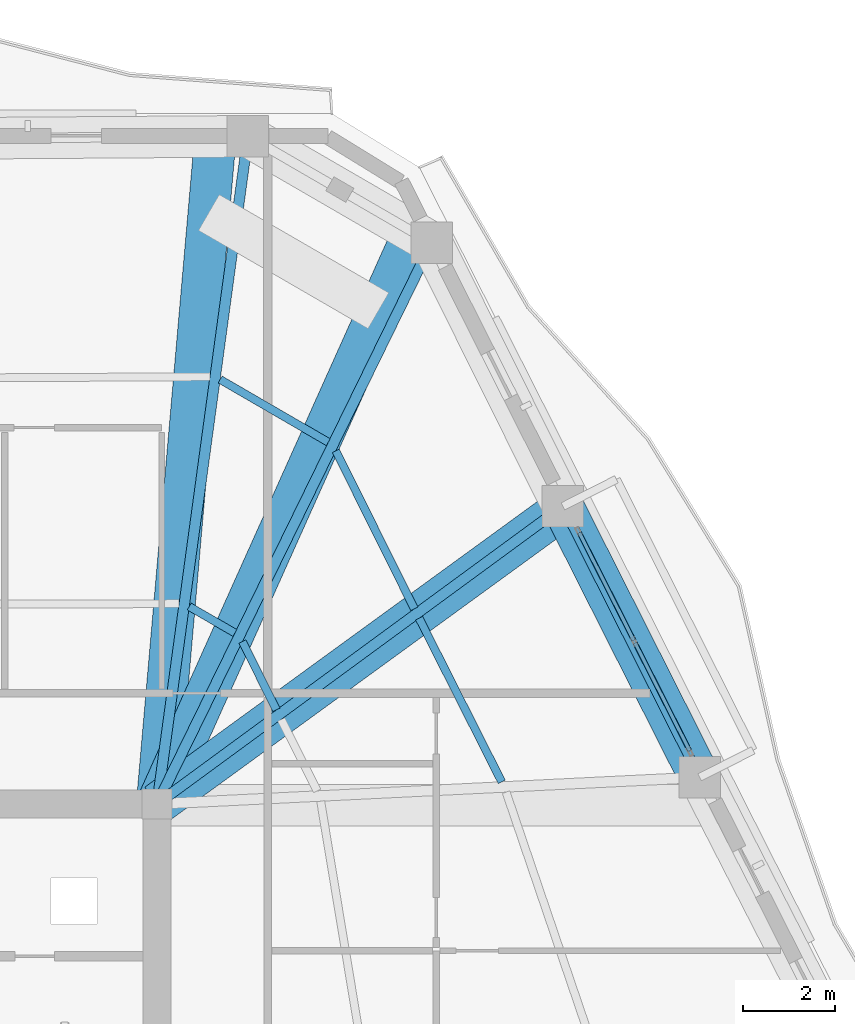
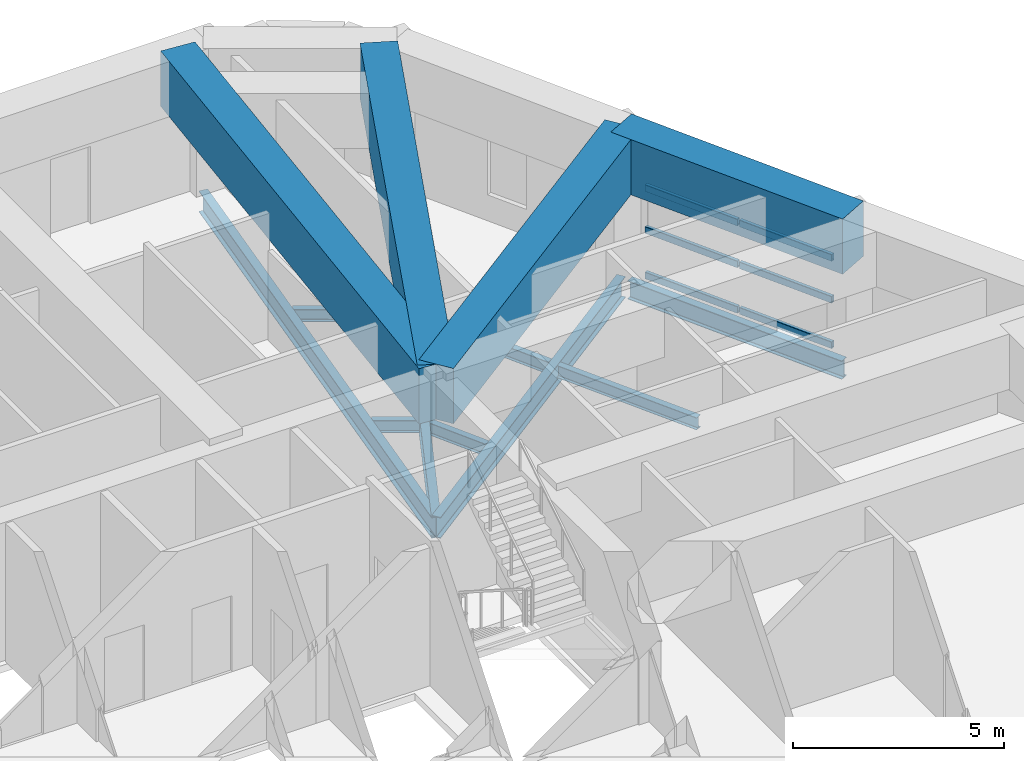
# One storey, part 10 of 20: 13 beams, 6 members, 1 element without a shape of its own.
"""IFC4 building model written with IfcOpenShell, lengths in metres."""

from ifc_helpers import new_model, si_unit, direction, frame, origin, origin_2d, place, context, subcontext, project, spatial, rectangle, hollow_rectangle, i_section, extrude, material, layer, layer_set, material_profile, profile_set, type_object, element, aggregate, save


model = new_model("IFC4")

# Units and contexts
model_context = context("Model", 3, precision=1e-05, world=origin(), true_north=direction((0.0, 1.0)))
body_context = subcontext(model_context, "Body", "Model", "MODEL_VIEW")
ifc_project = project(units=[si_unit("LENGTHUNIT", "METRE"), si_unit("AREAUNIT", "SQUARE_METRE"), si_unit("VOLUMEUNIT", "CUBIC_METRE"), si_unit("PLANEANGLEUNIT", "RADIAN"), si_unit("MASSUNIT", "GRAM", prefix="KILO")], contexts=[model_context])

# Site, building, storey
site_placement = place(None, origin())
site = spatial("IfcSite", under=ifc_project, at=site_placement, CompositionType="ELEMENT")
building_placement = place(site_placement, origin())
building = spatial("IfcBuilding", under=site, at=building_placement, Name="Cinnabar Lancet Tower", CompositionType="ELEMENT")
storey_placement = place(building_placement, frame((0.0, 0.0, 167.699951171875)))
storey = spatial("IfcBuildingStorey", under=building, at=storey_placement, Name="L44", CompositionType="ELEMENT", Elevation=167.699951171875)

# Curtain wall, members
ifc_material_1 = material(Name="Thermally broken bronze-anodized aluminium and low-E glass", Category="aluminium")
ifc_layer = layer(ifc_material_1, 0.179931640625)
ifc_layer_set = layer_set([ifc_layer], Name="Thermally broken bronze-anodized aluminium and low-E glass")
curtain_wall_type = type_object("IfcCurtainWallType", Name="ENV-CW-SYS-03", PredefinedType="NOTDEFINED", material=ifc_layer_set)
curtain_wall_placement = place(storey_placement, origin())
curtain_wall = element("IfcCurtainWall", 1, at=curtain_wall_placement, inside=storey, type_object=curtain_wall_type, Name="L44 Face 3 Feature Curtain Wall", PredefinedType="NOTDEFINED")
ifc_material_2 = material(Name="Anodized architectural aluminium 6063-T6", Category="aluminium")
ifc_material_profile_1 = material_profile(ifc_material_2, hollow_rectangle(XDim=0.10009765625, YDim=0.199951171875, WallThickness=0.008056640625, InnerFilletRadius=0.00390625, OuterFilletRadius=0.011962890625, at=origin_2d()), Name="RHS 200x100x8")
ifc_profile_set_1 = profile_set([ifc_material_profile_1], Name="Anodized architectural aluminium 6063-T6")
member_type = type_object("IfcMemberType", Name="ENV-CW-TRN-140", PredefinedType="USERDEFINED", material=ifc_profile_set_1)
member_1_placement = place(storey_placement, frame((53.23291015625, 34.35546875, 0.030029296875), z_axis=(-0.451428799811, 0.892307143702, 0.0), x_axis=(-0.892307143702, -0.451428799811, 0.0)))
member_1 = element("IfcMember", 2, at=member_1_placement, type_object=member_type, Name="CW-03 transom 1.1", ObjectType="TRANSOM", PredefinedType="USERDEFINED", context=body_context, shape_type="SweptSolid", body=[
    extrude(hollow_rectangle(XDim=0.10009765625, YDim=0.199951171875, WallThickness=0.008056640625, InnerFilletRadius=0.00390625, OuterFilletRadius=0.011962890625, at=origin_2d()), origin(), (0.0, 0.0, 1.0), 2.61474609375),
])
member_2_placement = place(storey_placement, frame((53.23291015625, 34.35546875, 1.34716796875), z_axis=(-0.451428799811, 0.892307143702, 0.0), x_axis=(-0.892307143702, -0.451428799811, 0.0)))
member_2 = element("IfcMember", 3, at=member_2_placement, type_object=member_type, Name="CW-03 transom 1.2", ObjectType="TRANSOM", PredefinedType="USERDEFINED", context=body_context, shape_type="SweptSolid", body=[
    extrude(hollow_rectangle(XDim=0.10009765625, YDim=0.199951171875, WallThickness=0.008056640625, InnerFilletRadius=0.00390625, OuterFilletRadius=0.011962890625, at=origin_2d()), origin(), (0.0, 0.0, 1.0), 2.61474609375),
])
member_3_placement = place(storey_placement, frame((53.23291015625, 34.35546875, 2.56005859375), z_axis=(-0.451428799811, 0.892307143702, 0.0), x_axis=(-0.892307143702, -0.451428799811, 0.0)))
member_3 = element("IfcMember", 4, at=member_3_placement, type_object=member_type, Name="CW-03 transom 1.3", ObjectType="TRANSOM", PredefinedType="USERDEFINED", context=body_context, shape_type="SweptSolid", body=[
    extrude(hollow_rectangle(XDim=0.10009765625, YDim=0.199951171875, WallThickness=0.008056640625, InnerFilletRadius=0.00390625, OuterFilletRadius=0.011962890625, at=origin_2d()), origin(), (0.0, 0.0, 1.0), 2.61474609375),
])
member_4_placement = place(storey_placement, frame((52.025390625, 36.7421875, 0.030029296875), z_axis=(-0.451428799811, 0.892307143702, 0.0), x_axis=(-0.892307143702, -0.451428799811, 0.0)))
member_4 = element("IfcMember", 5, at=member_4_placement, type_object=member_type, Name="CW-03 transom 2.1", ObjectType="TRANSOM", PredefinedType="USERDEFINED", context=body_context, shape_type="SweptSolid", body=[
    extrude(hollow_rectangle(XDim=0.10009765625, YDim=0.199951171875, WallThickness=0.008056640625, InnerFilletRadius=0.00390625, OuterFilletRadius=0.011962890625, at=origin_2d()), origin(), (0.0, 0.0, 1.0), 2.61474609375),
])
member_5_placement = place(storey_placement, frame((52.025390625, 36.7421875, 1.34716796875), z_axis=(-0.451428799811, 0.892307143702, 0.0), x_axis=(-0.892307143702, -0.451428799811, 0.0)))
member_5 = element("IfcMember", 6, at=member_5_placement, type_object=member_type, Name="CW-03 transom 2.2", ObjectType="TRANSOM", PredefinedType="USERDEFINED", context=body_context, shape_type="SweptSolid", body=[
    extrude(hollow_rectangle(XDim=0.10009765625, YDim=0.199951171875, WallThickness=0.008056640625, InnerFilletRadius=0.00390625, OuterFilletRadius=0.011962890625, at=origin_2d()), origin(), (0.0, 0.0, 1.0), 2.61474609375),
])
member_6_placement = place(storey_placement, frame((52.025390625, 36.7421875, 2.56005859375), z_axis=(-0.451428799811, 0.892307143702, 0.0), x_axis=(-0.892307143702, -0.451428799811, 0.0)))
member_6 = element("IfcMember", 7, at=member_6_placement, type_object=member_type, Name="CW-03 transom 2.3", ObjectType="TRANSOM", PredefinedType="USERDEFINED", context=body_context, shape_type="SweptSolid", body=[
    extrude(hollow_rectangle(XDim=0.10009765625, YDim=0.199951171875, WallThickness=0.008056640625, InnerFilletRadius=0.00390625, OuterFilletRadius=0.011962890625, at=origin_2d()), origin(), (0.0, 0.0, 1.0), 2.61474609375),
])
aggregate(curtain_wall, [member_1, member_2, member_3, member_4, member_5, member_6])

# Beams
ifc_material_3 = material(Name="Concrete C70/85", Category="concrete")
ifc_material_profile_2 = material_profile(ifc_material_3, rectangle(XDim=0.89990234375, YDim=1.60009765625, at=origin_2d()), Name="RC-BG 900x1600")
ifc_profile_set_2 = profile_set([ifc_material_profile_2], Name="Concrete C70/85")
beam_type_1 = type_object("IfcBeamType", Name="STR-BM-BG-1600", PredefinedType="BEAM", material=ifc_profile_set_2)
beam_1_placement = place(storey_placement, frame((53.451904296875, 33.77587890625, 3.400146484375), z_axis=(-0.450656296771, 0.892697542385, 0.0), x_axis=(-0.892697542385, -0.450656296771, 0.0)))
element("IfcBeam", 8, at=beam_1_placement, inside=storey, type_object=beam_type_1, Name="L45 Setback Outer Ring Girder 10", PredefinedType="BEAM", context=body_context, shape_type="SweptSolid", body=[
    extrude(rectangle(XDim=0.89990234375, YDim=1.60009765625, at=origin_2d()), origin(), (0.0, 0.0, 1.0), 6.57470703125),
])
beam_2_placement = place(storey_placement, frame((50.489013671875, 39.595947265625, 3.400146484375), z_axis=(-0.808563167393, -0.588409384982, 0.0), x_axis=(0.588409384982, -0.808563167393, 0.0)))
element("IfcBeam", 9, at=beam_2_placement, inside=storey, type_object=beam_type_1, Name="L45 Setback Continuous Radial Transfer Girder 11", PredefinedType="BEAM", context=body_context, shape_type="SweptSolid", body=[
    extrude(rectangle(XDim=0.89990234375, YDim=1.60009765625, at=origin_2d()), origin(), (0.0, 0.0, 1.0), 10.869873046875),
])
beam_3_placement = place(storey_placement, frame((47.18701171875, 45.423095703125, 3.400146484375), z_axis=(-0.409535622917, -0.912294126673, 0.0), x_axis=(0.912294126673, -0.409535622917, 0.0)))
element("IfcBeam", 10, at=beam_3_placement, inside=storey, type_object=beam_type_1, Name="L45 Setback Continuous Radial Transfer Girder 12", PredefinedType="BEAM", context=body_context, shape_type="SweptSolid", body=[
    extrude(rectangle(XDim=0.89990234375, YDim=1.60009765625, at=origin_2d()), origin(), (0.0, 0.0, 1.0), 13.398193359375),
])
beam_4_placement = place(storey_placement, frame((42.964111328125, 47.64892578125, 3.400146484375), z_axis=(-0.087158389196, -0.996194466554, 0.0), x_axis=(0.996194466554, -0.087158389196, 0.0)))
element("IfcBeam", 11, at=beam_4_placement, inside=storey, type_object=beam_type_1, Name="L45 Setback Continuous Radial Transfer Girder 13", PredefinedType="BEAM", context=body_context, shape_type="SweptSolid", body=[
    extrude(rectangle(XDim=0.89990234375, YDim=1.60009765625, at=origin_2d()), origin(), (0.0, 0.0, 1.0), 14.504150390625),
])
ifc_material_4 = material(Name="Structural steel S355", Category="steel")
ifc_material_profile_3 = material_profile(ifc_material_4, i_section(OverallWidth=0.17138671875, OverallDepth=0.35498046875, WebThickness=0.00732421875, FlangeThickness=0.011474609375, FilletRadius=0.01025390625, at=origin_2d()), Name="UKB 356x171x51")
ifc_profile_set_3 = profile_set([ifc_material_profile_3], Name="Structural steel S355")
beam_type_2 = type_object("IfcBeamType", Name="STR-BM-JST-356", PredefinedType="JOIST", material=ifc_profile_set_3)
beam_5_placement = place(storey_placement, frame((49.1650390625, 33.679931640625, -0.387939453125), z_axis=(-0.450656035687, 0.892697674187, 0.0), x_axis=(-0.892697674187, -0.450656035687, 0.0)))
element("IfcBeam", 12, at=beam_5_placement, inside=storey, type_object=beam_type_2, Name="L44 Secondary Floor Joist 27", PredefinedType="JOIST", context=body_context, shape_type="SweptSolid", body=[
    extrude(i_section(OverallWidth=0.17138671875, OverallDepth=0.35498046875, WebThickness=0.00732421875, FlangeThickness=0.011474609375, FilletRadius=0.01025390625, at=origin_2d()), origin(), (0.0, 0.0, 1.0), 3.9677734375),
])
beam_6_placement = place(storey_placement, frame((47.27294921875, 37.427978515625, -0.387939453125), z_axis=(-0.4452962175, 0.895383313827, 0.0), x_axis=(-0.895383313827, -0.4452962175, 0.0)))
element("IfcBeam", 13, at=beam_6_placement, inside=storey, type_object=beam_type_2, Name="L44 Secondary Floor Joist 29", PredefinedType="JOIST", context=body_context, shape_type="SweptSolid", body=[
    extrude(i_section(OverallWidth=0.17138671875, OverallDepth=0.35498046875, WebThickness=0.00732421875, FlangeThickness=0.011474609375, FilletRadius=0.01025390625, at=origin_2d()), origin(), (0.0, 0.0, 1.0), 3.822021484375),
])
beam_7_placement = place(storey_placement, frame((44.284912109375, 35.237060546875, -0.387939453125), z_axis=(-0.445203586036, 0.895429375764, 0.0), x_axis=(-0.895429375764, -0.445203586036, 0.0)))
element("IfcBeam", 14, at=beam_7_placement, inside=storey, type_object=beam_type_2, Name="L44 Secondary Floor Joist 30", PredefinedType="JOIST", context=body_context, shape_type="SweptSolid", body=[
    extrude(i_section(OverallWidth=0.17138671875, OverallDepth=0.35498046875, WebThickness=0.00732421875, FlangeThickness=0.011474609375, FilletRadius=0.01025390625, at=origin_2d()), origin(), (0.0, 0.0, 1.0), 1.65283203125),
])
beam_8_placement = place(storey_placement, frame((45.407958984375, 41.035888671875, -0.387939453125), z_axis=(-0.865133760642, 0.501541200898, 0.0), x_axis=(-0.501541200898, -0.865133760642, 0.0)))
element("IfcBeam", 15, at=beam_8_placement, inside=storey, type_object=beam_type_2, Name="L44 Secondary Floor Joist 31", PredefinedType="JOIST", context=body_context, shape_type="SweptSolid", body=[
    extrude(i_section(OverallWidth=0.17138671875, OverallDepth=0.35498046875, WebThickness=0.00732421875, FlangeThickness=0.011474609375, FilletRadius=0.01025390625, at=origin_2d()), origin(), (0.0, 0.0, 1.0), 2.7060546875),
])
beam_9_placement = place(storey_placement, frame((43.385986328125, 36.904052734375, -0.387939453125), z_axis=(-0.865640778484, 0.500665599602, 0.0), x_axis=(-0.500665599602, -0.865640778484, 0.0)))
element("IfcBeam", 16, at=beam_9_placement, inside=storey, type_object=beam_type_2, Name="L44 Secondary Floor Joist 32", PredefinedType="JOIST", context=body_context, shape_type="SweptSolid", body=[
    extrude(i_section(OverallWidth=0.17138671875, OverallDepth=0.35498046875, WebThickness=0.00732421875, FlangeThickness=0.011474609375, FilletRadius=0.01025390625, at=origin_2d()), origin(), (0.0, 0.0, 1.0), 1.142578125),
])
ifc_material_5 = material(Name="Structural steel S355", Category="steel")
ifc_material_profile_4 = material_profile(ifc_material_5, i_section(OverallWidth=0.209228515625, OverallDepth=0.533203125, WebThickness=0.010009765625, FlangeThickness=0.015625, FilletRadius=0.0126953125, at=origin_2d()), Name="UKB 533x210x92")
ifc_profile_set_4 = profile_set([ifc_material_profile_4], Name="Structural steel S355")
beam_type_3 = type_object("IfcBeamType", Name="STR-BM-SPN-533", PredefinedType="SPANDREL", material=ifc_profile_set_4)
beam_10_placement = place(storey_placement, frame((53.339111328125, 33.9990234375, -0.47705078125), z_axis=(-0.450570325924, 0.892740937449, 0.0), x_axis=(-0.892740937449, -0.450570325924, 0.0)))
element("IfcBeam", 17, at=beam_10_placement, inside=storey, type_object=beam_type_3, Name="L44 Perimeter Spandrel 10", PredefinedType="SPANDREL", context=body_context, shape_type="SweptSolid", body=[
    extrude(i_section(OverallWidth=0.209228515625, OverallDepth=0.533203125, WebThickness=0.010009765625, FlangeThickness=0.015625, FilletRadius=0.0126953125, at=origin_2d()), origin(), (0.0, 0.0, 1.0), 6.07470703125),
])
ifc_material_6 = material(Name="Structural steel S355", Category="steel")
ifc_material_profile_5 = material_profile(ifc_material_6, i_section(OverallWidth=0.228271484375, OverallDepth=0.607666015625, WebThickness=0.010986328125, FlangeThickness=0.017333984375, FilletRadius=0.0126953125, at=origin_2d()), Name="UKB 610x229x113")
ifc_profile_set_5 = profile_set([ifc_material_profile_5], Name="Structural steel S355")
beam_type_4 = type_object("IfcBeamType", Name="STR-BM-UKB610-113", PredefinedType="BEAM", material=ifc_profile_set_5)
beam_11_placement = place(storey_placement, frame((50.489013671875, 39.64501953125, -0.513916015625), z_axis=(-0.806415678013, -0.591349096774, 0.0), x_axis=(0.591349096774, -0.806415678013, 0.0)))
element("IfcBeam", 18, at=beam_11_placement, inside=storey, type_object=beam_type_4, Name="L44 Corner Collector Girder 3", PredefinedType="BEAM", context=body_context, shape_type="SweptSolid", body=[
    extrude(i_section(OverallWidth=0.228271484375, OverallDepth=0.607666015625, WebThickness=0.010986328125, FlangeThickness=0.017333984375, FilletRadius=0.0126953125, at=origin_2d()), origin(), (0.0, 0.0, 1.0), 10.89892578125),
])
beam_12_placement = place(storey_placement, frame((47.64892578125, 45.35400390625, -0.513916015625), z_axis=(-0.43962719145, -0.898180345219, 0.0), x_axis=(0.898180345219, -0.43962719145, 0.0)))
element("IfcBeam", 19, at=beam_12_placement, inside=storey, type_object=beam_type_4, Name="L44 Primary Floor Girder 12", PredefinedType="BEAM", context=body_context, shape_type="SweptSolid", body=[
    extrude(i_section(OverallWidth=0.228271484375, OverallDepth=0.607666015625, WebThickness=0.010986328125, FlangeThickness=0.017333984375, FilletRadius=0.0126953125, at=origin_2d()), origin(), (0.0, 0.0, 1.0), 13.531982421875),
])
beam_13_placement = place(storey_placement, frame((43.6689453125, 47.660888671875, -0.513916015625), z_axis=(-0.134914632731, -0.990857225777, 0.0), x_axis=(0.990857225777, -0.134914632731, 0.0)))
element("IfcBeam", 20, at=beam_13_placement, inside=storey, type_object=beam_type_4, Name="L44 Primary Floor Girder 13", PredefinedType="BEAM", context=body_context, shape_type="SweptSolid", body=[
    extrude(i_section(OverallWidth=0.228271484375, OverallDepth=0.607666015625, WebThickness=0.010986328125, FlangeThickness=0.017333984375, FilletRadius=0.0126953125, at=origin_2d()), origin(), (0.0, 0.0, 1.0), 14.594482421875),
])

save(model, "model.ifc")
